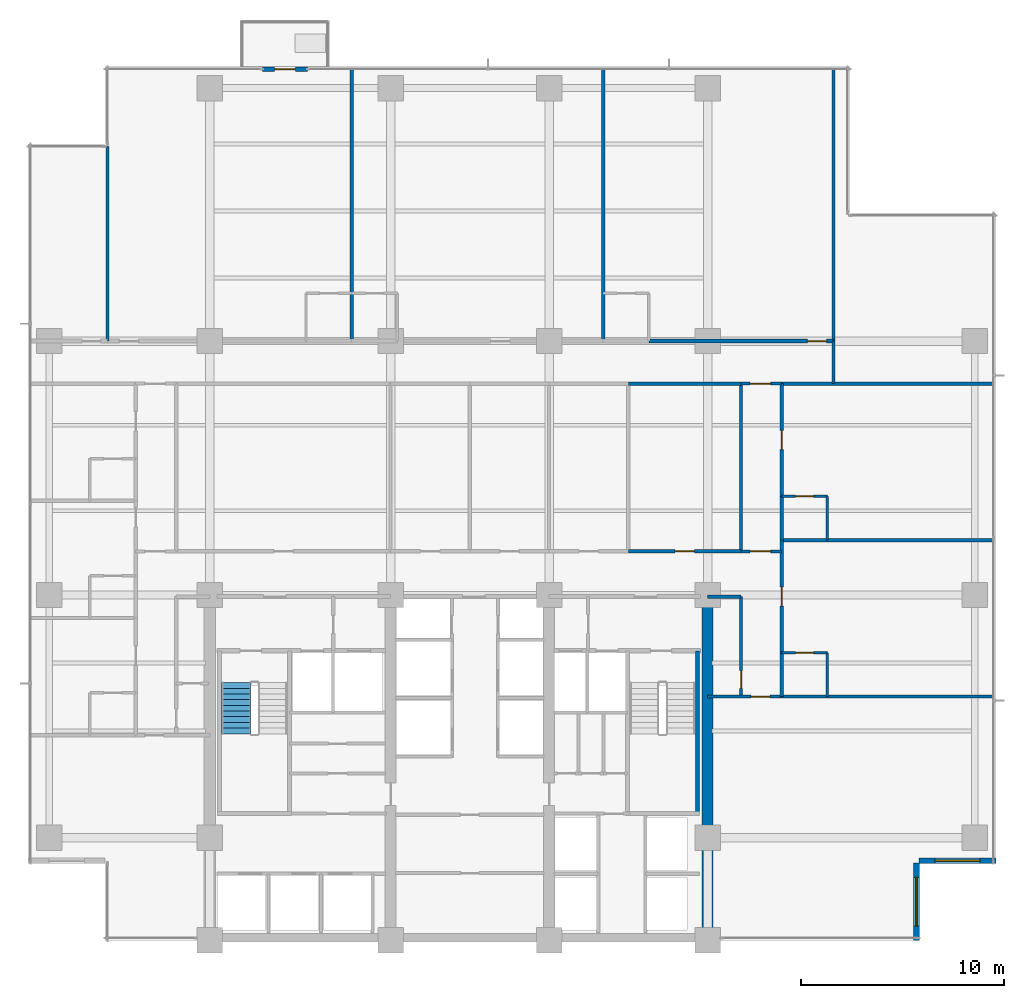
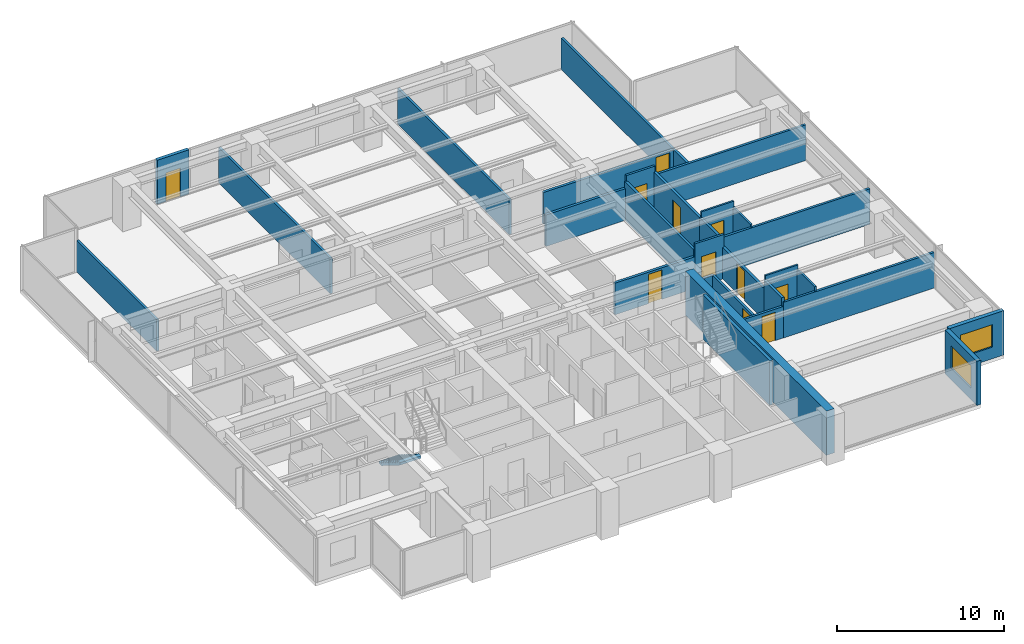
# One storey, part 11 of 17: 30 walls, 11 doors, 2 windows, 1 stair flight, 13 openings, 1 element without a shape of its own.
"""IFC4 building model written with IfcOpenShell, lengths in metres."""

import ifcopenshell
import ifcopenshell.guid

model = None  # the IFC model being written
_history = None  # IfcOwnerHistory: only IFC2X3 demands one
_inside = {}  # id of a spatial element -> (the spatial element, [elements in it])
_under = {}  # id of a project, library or spatial element -> (it, [spatial elements below it])
_declared = {}  # id of a project -> (the project, [libraries it declares])
_typed = {}  # id of a type object -> (the type object, [elements of that type])
_made_of = {}  # id of a material, layer set ... -> (it, [elements and type objects made of it])


def new_model(schema):
    """Start an empty IFC model of exactly this schema.

    Asked for "IFC4X3", IfcOpenShell would pick the latest addendum, in which some entities
    have other attributes; the version numbers below select the first issue.
    IFC2X3 requires an IfcOwnerHistory on every rooted entity: one is made here for all.
    """
    global model, _history
    if schema == "IFC4X3":
        model = ifcopenshell.file(schema_version=(4, 3, 0, 0))
    else:
        model = ifcopenshell.file(schema=schema)
    _inside.clear()
    _under.clear()
    _declared.clear()
    _typed.clear()
    _made_of.clear()
    _history = None
    if model.schema == "IFC2X3":
        org = make("IfcOrganization", Name="unknown")
        user = make(
            "IfcPersonAndOrganization",
            ThePerson=make("IfcPerson", FamilyName="unknown"),
            TheOrganization=org,
        )
        app = make(
            "IfcApplication",
            ApplicationDeveloper=org,
            Version="unknown",
            ApplicationFullName="unknown",
            ApplicationIdentifier="unknown",
        )
        _history = make(
            "IfcOwnerHistory",
            OwningUser=user,
            OwningApplication=app,
            ChangeAction="ADDED",
            CreationDate=0,
        )
    return model


def make(cls, **values):
    """One entity of the class cls with the attributes given. An attribute that is None is left unset."""
    return model.create_entity(
        cls, **{name: value for name, value in values.items() if value is not None}
    )


def rooted(cls, **values):
    """An entity with a GlobalId (a new one), such as an element, a storey or a relation."""
    return make(cls, GlobalId=ifcopenshell.guid.new(), OwnerHistory=_history, **values)


def si_unit(unit_type, name, prefix=None):
    """IfcSIUnit, for example si_unit("LENGTHUNIT", "METRE", prefix="MILLI")."""
    return make("IfcSIUnit", UnitType=unit_type, Prefix=prefix, Name=name)


def assignment(units):
    """IfcUnitAssignment: the units of a project."""
    return None if units is None else make("IfcUnitAssignment", Units=units)


def point(xyz):
    """IfcCartesianPoint."""
    return None if xyz is None else make("IfcCartesianPoint", Coordinates=xyz)


def direction(xyz):
    """IfcDirection."""
    return None if xyz is None else make("IfcDirection", DirectionRatios=xyz)


def frame(location, z_axis=None, x_axis=None):
    """IfcAxis2Placement3D, a coordinate frame: its origin and axes. An axis left out is left unset."""
    return make(
        "IfcAxis2Placement3D",
        Location=point(location),
        Axis=direction(z_axis),
        RefDirection=direction(x_axis),
    )


def frame_2d(location, x_axis=None):
    """IfcAxis2Placement2D, a coordinate frame in the plane: its origin and x axis."""
    return make(
        "IfcAxis2Placement2D", Location=point(location), RefDirection=direction(x_axis)
    )


def origin():
    """The frame at (0, 0, 0) with its axes left unset."""
    return frame((0.0, 0.0, 0.0))


def place(relative_to, where):
    """IfcLocalPlacement: puts the frame where relative to a parent placement (None: the world)."""
    return make(
        "IfcLocalPlacement", PlacementRelTo=relative_to, RelativePlacement=where
    )


def context(
    kind, dimensions, precision=None, world=None, true_north=None, identifier=None
):
    """IfcGeometricRepresentationContext, for example the 3D "Model" context."""
    return make(
        "IfcGeometricRepresentationContext",
        ContextIdentifier=identifier,
        ContextType=kind,
        CoordinateSpaceDimension=dimensions,
        Precision=precision,
        WorldCoordinateSystem=world,
        TrueNorth=true_north,
    )


def subcontext(parent, identifier, kind, view, scale=None):
    """IfcGeometricRepresentationSubContext, for example "Body" below "Model"."""
    return make(
        "IfcGeometricRepresentationSubContext",
        ContextIdentifier=identifier,
        ContextType=kind,
        ParentContext=parent,
        TargetScale=scale,
        TargetView=view,
    )


def project(units=None, contexts=None):
    """IfcProject with its units and contexts."""
    return rooted(
        "IfcProject",
        Name="project",
        RepresentationContexts=contexts,
        UnitsInContext=assignment(units),
    )


def spatial(cls, under=None, at=None, **own):
    """A site, building, storey or space (cls), placed at a placement, below another one or the project."""
    s = rooted(cls, ObjectPlacement=at, **own)
    if under is not None:
        _under.setdefault(under.id(), (under, []))[1].append(s)
    return s


def polyline(points):
    """IfcPolyline through the points."""
    return make("IfcPolyline", Points=[point(p) for p in points])


def profile(cls, at=None, kind="AREA", **sizes):
    """A parametric profile (cls). Its sizes go by their IFC names, for example OverallWidth=200.0."""
    return make(cls, ProfileType=kind, Position=at, **sizes)


def rectangle(**sizes):
    """IfcRectangleProfileDef."""
    return profile("IfcRectangleProfileDef", **sizes)


def outline(outer, holes=None, kind="AREA"):
    """IfcArbitraryClosedProfileDef: a profile drawn as a closed curve; with holes, ...WithVoids."""
    if holes is None:
        return make("IfcArbitraryClosedProfileDef", ProfileType=kind, OuterCurve=outer)
    return make(
        "IfcArbitraryProfileDefWithVoids",
        ProfileType=kind,
        OuterCurve=outer,
        InnerCurves=holes,
    )


def extrude(swept, where, along, depth):
    """IfcExtrudedAreaSolid: the profile swept, set in the frame where, extruded along a direction by depth."""
    return make(
        "IfcExtrudedAreaSolid",
        SweptArea=swept,
        Position=where,
        ExtrudedDirection=direction(along),
        Depth=depth,
    )


def shape(context_of_items, identifier, shape_type, items):
    """IfcShapeRepresentation: the items that make up one representation, for example the "Body"."""
    return make(
        "IfcShapeRepresentation",
        ContextOfItems=context_of_items,
        RepresentationIdentifier=identifier,
        RepresentationType=shape_type,
        Items=items,
    )


def material(Name=None, Category=None):
    """IfcMaterial."""
    return make("IfcMaterial", Name=Name, Category=Category)


def layer(
    of_material, thickness, ventilated=None, Name=None, Category=None, Priority=None
):
    """IfcMaterialLayer: one layer of a wall or slab, of a material (None: an air gap)."""
    return make(
        "IfcMaterialLayer",
        Material=of_material,
        LayerThickness=thickness,
        IsVentilated=ventilated,
        Name=Name,
        Category=Category,
        Priority=Priority,
    )


def layer_set(layers, Name=None):
    """IfcMaterialLayerSet."""
    return make("IfcMaterialLayerSet", MaterialLayers=layers, LayerSetName=Name)


def made_of(thing, what):
    """Note that an element or type object is made of a material, layer set ...; save() writes the relation."""
    if what is not None:
        _made_of.setdefault(what.id(), (what, []))[1].append(thing)
    return thing


def type_object(cls, material=None, **own):
    """A type object (cls), such as IfcWallType, which elements share."""
    return made_of(rooted(cls, **own), material)


def element(
    cls,
    number,
    at=None,
    inside=None,
    cuts=None,
    type_object=None,
    material=None,
    context=None,
    identifier="Body",
    shape_type=None,
    held_by="IfcProductDefinitionShape",
    body=None,
    shapes=None,
    **own,
):
    """One element of the class cls, such as IfcWall. Its Tag is "e" and its number.

    at: its placement. inside: the storey or other place that contains it. cuts: it is an
    opening in that element (IfcRelVoidsElement). A single representation is given by context,
    identifier, shape_type and body (its items); several are given by shapes. held_by: the class
    of the entity that holds the representations. save() writes the other relations.
    """
    e = rooted(cls, Tag="e%d" % number, ObjectPlacement=at, **own)
    if body is not None:
        shapes = [shape(context, identifier, shape_type, body)]
    if shapes is not None:
        e.Representation = make(held_by, Representations=shapes)
    if inside is not None:
        _inside.setdefault(inside.id(), (inside, []))[1].append(e)
    if cuts is not None:
        rooted(
            "IfcRelVoidsElement", RelatingBuildingElement=cuts, RelatedOpeningElement=e
        )
    if type_object is not None:
        _typed.setdefault(type_object.id(), (type_object, []))[1].append(e)
    return made_of(e, material)


def fill(opening, filler):
    """IfcRelFillsElement: the door or window that sits in an opening."""
    return rooted(
        "IfcRelFillsElement",
        RelatingOpeningElement=opening,
        RelatedBuildingElement=filler,
    )


def aggregate(whole, parts):
    """IfcRelAggregates: a whole, such as a stair, and the parts it consists of."""
    return rooted("IfcRelAggregates", RelatingObject=whole, RelatedObjects=parts)


def save(model, path):
    """Write the relations noted so far, then the file.

    IfcRelAggregates (storeys below a building ...), IfcRelContainedInSpatialStructure (elements
    in a storey), IfcRelDefinesByType, IfcRelAssociatesMaterial and IfcRelDeclares: one each for
    every whole, place, type object, material and project.
    """
    for whole, parts in _under.values():
        aggregate(whole, parts)
    for where, things in _inside.values():
        rooted(
            "IfcRelContainedInSpatialStructure",
            RelatedElements=things,
            RelatingStructure=where,
        )
    for kind, things in _typed.values():
        rooted("IfcRelDefinesByType", RelatedObjects=things, RelatingType=kind)
    for what, things in _made_of.values():
        rooted("IfcRelAssociatesMaterial", RelatedObjects=things, RelatingMaterial=what)
    for by, libraries in _declared.values():
        rooted("IfcRelDeclares", RelatingContext=by, RelatedDefinitions=libraries)
    model.write(path)


model = new_model("IFC4")

# Units and contexts
model_context = context("Model", 3, precision=1e-05, world=origin(), true_north=direction((0.0, 1.0)))
body_context = subcontext(model_context, "Body", "Model", "MODEL_VIEW")
ifc_project = project(units=[si_unit("LENGTHUNIT", "METRE"), si_unit("AREAUNIT", "SQUARE_METRE"), si_unit("VOLUMEUNIT", "CUBIC_METRE"), si_unit("PLANEANGLEUNIT", "RADIAN"), si_unit("MASSUNIT", "GRAM", prefix="KILO")], contexts=[model_context])

# Site, building, storey
site_placement = place(None, origin())
site = spatial("IfcSite", under=ifc_project, at=site_placement, CompositionType="ELEMENT")
building_placement = place(site_placement, origin())
building = spatial("IfcBuilding", under=site, at=building_placement, Name="Qalmaran Belvedere Hotel", CompositionType="ELEMENT")
storey_placement = place(building_placement, frame((0.0, 0.0, 119.699951171875)))
storey = spatial("IfcBuildingStorey", under=building, at=storey_placement, Name="L30", CompositionType="ELEMENT", Elevation=119.699951171875)

# Wall, opening, door
ifc_material_1 = material(Name="Anodised Bronze Cladding")
ifc_layer_1 = layer(ifc_material_1, 0.22509765625, Name="Anodised Bronze Cladding")
ifc_layer_set_1 = layer_set([ifc_layer_1], Name="Anodised Bronze Cladding")
wall_type_1 = type_object("IfcWallType", Name="WL-BAL-PORT-225", PredefinedType="SOLIDWALL", material=ifc_layer_set_1)
wall_1_placement = place(storey_placement, frame((22.89990234375, 46.3798828125, 0.0), z_axis=(0.0, 0.0, 1.0), x_axis=(1.0, 0.0, 0.0)))
wall_1 = element("IfcWall", 1, at=wall_1_placement, inside=storey, type_object=wall_type_1, Name="L30 Tree Balcony Door Portal", PredefinedType="SOLIDWALL", context=body_context, shape_type="SweptSolid", body=[
    extrude(rectangle(XDim=2.2001953125, YDim=0.22509765625, at=frame_2d((1.10009765625, 0.0))), origin(), (0.0, 0.0, 1.0), 3.239990234375),
])
opening_1_placement = place(wall_1_placement, frame((0.590087890625, 0.0, 0.0)))
opening_1 = element("IfcOpeningElement", 2, at=opening_1_placement, cuts=wall_1, Name="Opening BL-102", PredefinedType="OPENING", context=body_context, shape_type="SweptSolid", body=[
    extrude(rectangle(XDim=1.02001953125, YDim=2.10009765625, at=frame_2d((0.510009765625, 1.050048828125))), frame((0.0, 0.12255859375, 0.0), z_axis=(0.0, -1.0, 0.0), x_axis=(1.0, 0.0, 0.0)), (0.0, 0.0, 1.0), 0.2451171875),
])
ifc_material_2 = material(Name="Anodised Bronze Aluminium", Category="aluminium")
door_type_1 = type_object("IfcDoorType", Name="DR-BAL-1020X2100", OperationType="NOTDEFINED", PredefinedType="DOOR", material=ifc_material_2)
door_1_placement = place(opening_1_placement, origin())
door_1 = element("IfcDoor", 3, at=door_1_placement, inside=storey, type_object=door_type_1, Name="L30 Planted Tree Balcony Door", OperationType="SINGLE_SWING_LEFT", OverallHeight=2.10009765625, OverallWidth=1.02001953125, PredefinedType="DOOR", context=body_context, shape_type="SweptSolid", body=[
    extrude(rectangle(XDim=1.02001953125, YDim=2.10009765625, at=frame_2d((0.510009765625, 1.050048828125))), frame((0.0, 0.02490234375, 0.0), z_axis=(0.0, -1.0, 0.0), x_axis=(1.0, 0.0, 0.0)), (0.0, 0.0, 1.0), 0.050048828125),
])
fill(opening_1, door_1)

# Wall
ifc_material_3 = material(Name="Concrete C60/75", Category="concrete")
ifc_layer_2 = layer(ifc_material_3, 0.550048828125, Name="Concrete C60/75")
ifc_layer_set_2 = layer_set([ifc_layer_2], Name="Concrete C60/75")
wall_type_2 = type_object("IfcWallType", Name="WL-CORE-550-C60", PredefinedType="SHEAR", material=ifc_layer_set_2)
wall_2_placement = place(storey_placement, frame((44.800048828125, 3.5, 0.0), z_axis=(0.0, 0.0, 1.0), x_axis=(0.0, 1.0, 0.0)))
element("IfcWall", 4, at=wall_2_placement, inside=storey, type_object=wall_type_2, Name="L30 East Core Shear Wall", PredefinedType="SHEAR", context=body_context, shape_type="SweptSolid", body=[
    extrude(rectangle(XDim=16.89990234375, YDim=0.550048828125, at=frame_2d((8.449951171875, 0.0))), origin(), (0.0, 0.0, 1.0), 3.239990234375),
])

# Wall, opening, window
ifc_layer_3 = layer(ifc_material_1, 0.280029296875, Name="Anodised Bronze Cladding")
ifc_layer_set_3 = layer_set([ifc_layer_3], Name="Anodised Bronze Cladding")
wall_type_3 = type_object("IfcWallType", Name="WL-EXT-BRNZ-280", PredefinedType="SOLIDWALL", material=ifc_layer_set_3)
wall_3_placement = place(storey_placement, frame((55.080078125, 3.5, 0.0), z_axis=(0.0, 0.0, 1.0), x_axis=(0.0, 1.0, 0.0)))
wall_3 = element("IfcWall", 5, at=wall_3_placement, inside=storey, type_object=wall_type_3, Name="L30 Corner Notch Wall 1", PredefinedType="SOLIDWALL", context=body_context, shape_type="SweptSolid", body=[
    extrude(rectangle(XDim=3.800048828125, YDim=0.280029296875, at=frame_2d((1.89990234375, 0.0))), origin(), (0.0, 0.0, 1.0), 3.239990234375),
])
opening_2_placement = place(wall_3_placement, frame((0.699951171875, 0.0, 0.85009765625)))
opening_2 = element("IfcOpeningElement", 6, at=opening_2_placement, cuts=wall_3, Name="Opening W-N24", PredefinedType="OPENING", context=body_context, shape_type="SweptSolid", body=[
    extrude(rectangle(XDim=2.39990234375, YDim=1.64990234375, at=frame_2d((1.199951171875, 0.824951171875))), frame((0.0, 0.14990234375, 0.0), z_axis=(0.0, -1.0, 0.0), x_axis=(1.0, 0.0, 0.0)), (0.0, 0.0, 1.0), 0.300048828125),
])
ifc_material_4 = material(Name="Solar-Control Double Glazing", Category="glass")
window_type_1 = type_object("IfcWindowType", Name="WN-NTC-2400X1650", PartitioningType="SINGLE_PANEL", PredefinedType="WINDOW", material=ifc_material_4)
window_1_placement = place(opening_2_placement, origin())
window_1 = element("IfcWindow", 7, at=window_1_placement, inside=storey, type_object=window_type_1, Name="L30 Corner Notch Window 1", OverallHeight=1.64990234375, OverallWidth=2.39990234375, PartitioningType="SINGLE_PANEL", PredefinedType="WINDOW", context=body_context, shape_type="SweptSolid", body=[
    extrude(rectangle(XDim=2.39990234375, YDim=1.64990234375, at=frame_2d((1.199951171875, 0.824951171875))), frame((0.0, 0.030029296875, 0.0), z_axis=(0.0, -1.0, 0.0), x_axis=(1.0, 0.0, 0.0)), (0.0, 0.0, 1.0), 0.06005859375),
])
fill(opening_2, window_1)

wall_4_placement = place(storey_placement, frame((55.199951171875, 7.419921875, 0.0), z_axis=(0.0, 0.0, 1.0), x_axis=(1.0, 0.0, 0.0)))
wall_4 = element("IfcWall", 8, at=wall_4_placement, inside=storey, type_object=wall_type_3, Name="L30 Corner Notch Wall 2", PredefinedType="SOLIDWALL", context=body_context, shape_type="SweptSolid", body=[
    extrude(rectangle(XDim=3.800048828125, YDim=0.280029296875, at=frame_2d((1.89990234375, 0.0))), origin(), (0.0, 0.0, 1.0), 3.239990234375),
])
opening_3_placement = place(wall_4_placement, frame((0.800048828125, 0.0, 0.85009765625)))
opening_3 = element("IfcOpeningElement", 9, at=opening_3_placement, cuts=wall_4, Name="Opening W-N22", PredefinedType="OPENING", context=body_context, shape_type="SweptSolid", body=[
    extrude(rectangle(XDim=2.199951171875, YDim=1.64990234375, at=frame_2d((1.10009765625, 0.824951171875))), frame((0.0, 0.14990234375, 0.0), z_axis=(0.0, -1.0, 0.0), x_axis=(1.0, 0.0, 0.0)), (0.0, 0.0, 1.0), 0.300048828125),
])
window_type_2 = type_object("IfcWindowType", Name="WN-NTC-2200X1650", PartitioningType="SINGLE_PANEL", PredefinedType="WINDOW", material=ifc_material_4)
window_2_placement = place(opening_3_placement, origin())
window_2 = element("IfcWindow", 10, at=window_2_placement, inside=storey, type_object=window_type_2, Name="L30 Corner Notch Window 2", OverallHeight=1.64990234375, OverallWidth=2.199951171875, PartitioningType="SINGLE_PANEL", PredefinedType="WINDOW", context=body_context, shape_type="SweptSolid", body=[
    extrude(rectangle(XDim=2.199951171875, YDim=1.64990234375, at=frame_2d((1.10009765625, 0.824951171875))), frame((0.0, 0.030029296875, 0.0), z_axis=(0.0, -1.0, 0.0), x_axis=(1.0, 0.0, 0.0)), (0.0, 0.0, 1.0), 0.06005859375),
])
fill(opening_3, window_2)

# Wall, opening, door
ifc_material_5 = material(Name="Moisture-Resistant Gypsum")
ifc_layer_4 = layer(ifc_material_5, 0.1201171875, Name="Moisture-Resistant Gypsum")
ifc_layer_set_4 = layer_set([ifc_layer_4], Name="Moisture-Resistant Gypsum")
wall_type_4 = type_object("IfcWallType", Name="WL-INT-120-BATH", PredefinedType="PARTITIONING", material=ifc_layer_set_4)
wall_5_placement = place(storey_placement, frame((48.449951171875, 17.64990234375, 0.0), z_axis=(0.0, 0.0, 1.0), x_axis=(1.0, 0.0, 0.0)))
wall_5 = element("IfcWall", 11, at=wall_5_placement, inside=storey, type_object=wall_type_4, Name="L30 Partition WL-L30-EBN00", PredefinedType="PARTITIONING", context=body_context, shape_type="SweptSolid", body=[
    extrude(rectangle(XDim=2.25, YDim=0.1201171875, at=frame_2d((1.125, 0.0))), origin(), (0.0, 0.0, 1.0), 3.239990234375),
])
opening_4_placement = place(wall_5_placement, frame((1.56494140625, 0.0, 0.0), z_axis=(0.0, 0.0, 1.0), x_axis=(-1.0, 0.0, 0.0)))
opening_4 = element("IfcOpeningElement", 12, at=opening_4_placement, cuts=wall_5, Name="Opening D-BATH", PredefinedType="OPENING", context=body_context, shape_type="SweptSolid", body=[
    extrude(rectangle(XDim=0.8798828125, YDim=2.080078125, at=frame_2d((0.43994140625, 1.0400390625))), frame((0.0, 0.070068359375, 0.0), z_axis=(0.0, -1.0, 0.0), x_axis=(1.0, 0.0, 0.0)), (0.0, 0.0, 1.0), 0.14013671875),
])
ifc_material_6 = material(Name="Engineered Oak Veneer")
door_type_2 = type_object("IfcDoorType", Name="DR-INT-BATH-880X2080", OperationType="NOTDEFINED", PredefinedType="DOOR", material=ifc_material_6)
door_2_placement = place(opening_4_placement, origin())
door_2 = element("IfcDoor", 13, at=door_2_placement, inside=storey, type_object=door_type_2, Name="L30 E Ensuite Door 01", OperationType="SINGLE_SWING_LEFT", OverallHeight=2.080078125, OverallWidth=0.8798828125, PredefinedType="DOOR", context=body_context, shape_type="SweptSolid", body=[
    extrude(rectangle(XDim=0.8798828125, YDim=2.080078125, at=frame_2d((0.43994140625, 1.0400390625))), frame((0.0, 0.02490234375, 0.0), z_axis=(0.0, -1.0, 0.0), x_axis=(1.0, 0.0, 0.0)), (0.0, 0.0, 1.0), 0.050048828125),
])
fill(opening_4, door_2)

# Wall
wall_6_placement = place(storey_placement, frame((50.699951171875, 15.5, 0.0), z_axis=(0.0, 0.0, 1.0), x_axis=(0.0, 1.0, 0.0)))
element("IfcWall", 14, at=wall_6_placement, inside=storey, type_object=wall_type_4, Name="L30 Partition WL-L30-EBS00", PredefinedType="PARTITIONING", context=body_context, shape_type="SweptSolid", body=[
    extrude(rectangle(XDim=2.14990234375, YDim=0.1201171875, at=frame_2d((1.074951171875, 0.0))), origin(), (0.0, 0.0, 1.0), 2.922119140625),
])

# Wall, opening, door
wall_7_placement = place(storey_placement, frame((48.449951171875, 25.35009765625, 0.0), z_axis=(0.0, 0.0, 1.0), x_axis=(1.0, 0.0, 0.0)))
wall_7 = element("IfcWall", 15, at=wall_7_placement, inside=storey, type_object=wall_type_4, Name="L30 Partition WL-L30-EBN01", PredefinedType="PARTITIONING", context=body_context, shape_type="SweptSolid", body=[
    extrude(rectangle(XDim=2.25, YDim=0.1201171875, at=frame_2d((1.125, 0.0))), origin(), (0.0, 0.0, 1.0), 3.239990234375),
])
opening_5_placement = place(wall_7_placement, frame((1.56494140625, 0.0, 0.0), z_axis=(0.0, 0.0, 1.0), x_axis=(-1.0, 0.0, 0.0)))
opening_5 = element("IfcOpeningElement", 16, at=opening_5_placement, cuts=wall_7, Name="Opening D-BATH", PredefinedType="OPENING", context=body_context, shape_type="SweptSolid", body=[
    extrude(rectangle(XDim=0.8798828125, YDim=2.080078125, at=frame_2d((0.43994140625, 1.0400390625))), frame((0.0, 0.070068359375, 0.0), z_axis=(0.0, -1.0, 0.0), x_axis=(1.0, 0.0, 0.0)), (0.0, 0.0, 1.0), 0.14013671875),
])
door_3_placement = place(opening_5_placement, origin())
door_3 = element("IfcDoor", 17, at=door_3_placement, inside=storey, type_object=door_type_2, Name="L30 E Ensuite Door 02", OperationType="SINGLE_SWING_LEFT", OverallHeight=2.080078125, OverallWidth=0.8798828125, PredefinedType="DOOR", context=body_context, shape_type="SweptSolid", body=[
    extrude(rectangle(XDim=0.8798828125, YDim=2.080078125, at=frame_2d((0.43994140625, 1.0400390625))), frame((0.0, 0.02490234375, 0.0), z_axis=(0.0, -1.0, 0.0), x_axis=(1.0, 0.0, 0.0)), (0.0, 0.0, 1.0), 0.050048828125),
])
fill(opening_5, door_3)

# Wall
wall_8_placement = place(storey_placement, frame((50.699951171875, 23.199951171875, 0.0), z_axis=(0.0, 0.0, 1.0), x_axis=(0.0, 1.0, 0.0)))
element("IfcWall", 18, at=wall_8_placement, inside=storey, type_object=wall_type_4, Name="L30 Partition WL-L30-EBS01", PredefinedType="PARTITIONING", context=body_context, shape_type="SweptSolid", body=[
    extrude(rectangle(XDim=2.150146484375, YDim=0.1201171875, at=frame_2d((1.0751953125, 0.0))), origin(), (0.0, 0.0, 1.0), 2.818115234375),
])

# Wall, opening, door
ifc_material_7 = material(Name="Gypsum Stud Partition")
ifc_layer_5 = layer(ifc_material_7, 0.14990234375, Name="Gypsum Stud Partition")
ifc_layer_set_5 = layer_set([ifc_layer_5], Name="Gypsum Stud Partition")
wall_type_5 = type_object("IfcWallType", Name="WL-INT-150-EI60", PredefinedType="PARTITIONING", material=ifc_layer_set_5)
wall_9_placement = place(storey_placement, frame((46.449951171875, 22.64990234375, 0.0), z_axis=(0.0, 0.0, 1.0), x_axis=(1.0, 0.0, 0.0)))
wall_9 = element("IfcWall", 19, at=wall_9_placement, inside=storey, type_object=wall_type_5, Name="L30 Partition WL-L30-XCE1", PredefinedType="PARTITIONING", context=body_context, shape_type="SweptSolid", body=[
    extrude(rectangle(XDim=2.0, YDim=0.14990234375, at=frame_2d((1.0, 0.0))), origin(), (0.0, 0.0, 1.0), 3.239990234375),
])
opening_6_placement = place(wall_9_placement, frame((0.449951171875, 0.0, 0.0)))
opening_6 = element("IfcOpeningElement", 20, at=opening_6_placement, cuts=wall_9, Name="Opening FD90B", PredefinedType="OPENING", context=body_context, shape_type="SweptSolid", body=[
    extrude(rectangle(XDim=1.0, YDim=2.14990234375, at=frame_2d((0.5, 1.074951171875))), frame((0.0, 0.0849609375, 0.0), z_axis=(0.0, -1.0, 0.0), x_axis=(1.0, 0.0, 0.0)), (0.0, 0.0, 1.0), 0.169921875),
])
ifc_material_8 = material(Name="Steel S355JR", Category="steel")
door_type_3 = type_object("IfcDoorType", Name="DR-FD90B-1000X2150", OperationType="NOTDEFINED", PredefinedType="DOOR", material=ifc_material_8)
door_4_placement = place(opening_6_placement, origin())
door_4 = element("IfcDoor", 21, at=door_4_placement, inside=storey, type_object=door_type_3, Name="L30 East Corridor Smoke Door S", OperationType="SINGLE_SWING_RIGHT", OverallHeight=2.14990234375, OverallWidth=1.0, PredefinedType="DOOR", context=body_context, shape_type="SweptSolid", body=[
    extrude(rectangle(XDim=1.0, YDim=2.14990234375, at=frame_2d((0.5, 1.074951171875))), frame((0.0, 0.02490234375, 0.0), z_axis=(0.0, -1.0, 0.0), x_axis=(1.0, 0.0, 0.0)), (0.0, 0.0, 1.0), 0.050048828125),
])
fill(opening_6, door_4)

wall_10_placement = place(storey_placement, frame((46.449951171875, 30.89990234375, 0.0), z_axis=(0.0, 0.0, 1.0), x_axis=(1.0, 0.0, 0.0)))
wall_10 = element("IfcWall", 22, at=wall_10_placement, inside=storey, type_object=wall_type_5, Name="L30 Partition WL-L30-XCE2", PredefinedType="PARTITIONING", context=body_context, shape_type="SweptSolid", body=[
    extrude(rectangle(XDim=2.0, YDim=0.14990234375, at=frame_2d((1.0, 0.0))), origin(), (0.0, 0.0, 1.0), 3.239990234375),
])
opening_7_placement = place(wall_10_placement, frame((0.449951171875, 0.0, 0.0)))
opening_7 = element("IfcOpeningElement", 23, at=opening_7_placement, cuts=wall_10, Name="Opening FD90B", PredefinedType="OPENING", context=body_context, shape_type="SweptSolid", body=[
    extrude(rectangle(XDim=1.0, YDim=2.14990234375, at=frame_2d((0.5, 1.074951171875))), frame((0.0, 0.0849609375, 0.0), z_axis=(0.0, -1.0, 0.0), x_axis=(1.0, 0.0, 0.0)), (0.0, 0.0, 1.0), 0.169921875),
])
door_5_placement = place(opening_7_placement, origin())
door_5 = element("IfcDoor", 24, at=door_5_placement, inside=storey, type_object=door_type_3, Name="L30 East Corridor Smoke Door N", OperationType="SINGLE_SWING_LEFT", OverallHeight=2.14990234375, OverallWidth=1.0, PredefinedType="DOOR", context=body_context, shape_type="SweptSolid", body=[
    extrude(rectangle(XDim=1.0, YDim=2.14990234375, at=frame_2d((0.5, 1.074951171875))), frame((0.0, 0.02490234375, 0.0), z_axis=(0.0, -1.0, 0.0), x_axis=(1.0, 0.0, 0.0)), (0.0, 0.0, 1.0), 0.050048828125),
])
fill(opening_7, door_5)

ifc_layer_6 = layer(ifc_material_7, 0.159912109375, Name="Gypsum Stud Partition")
ifc_layer_set_6 = layer_set([ifc_layer_6], Name="Gypsum Stud Partition")
wall_type_6 = type_object("IfcWallType", Name="WL-INT-160-EI60", PredefinedType="PARTITIONING", material=ifc_layer_set_6)
wall_11_placement = place(storey_placement, frame((44.800048828125, 15.5, 0.0), z_axis=(0.0, 0.0, 1.0), x_axis=(1.0, 0.0, 0.0)))
wall_11 = element("IfcWall", 25, at=wall_11_placement, inside=storey, type_object=wall_type_6, Name="L30 Partition WL-L30-SERL", PredefinedType="PARTITIONING", context=body_context, shape_type="SweptSolid", body=[
    extrude(rectangle(XDim=3.64990234375, YDim=0.159912109375, at=frame_2d((1.824951171875, 0.0))), origin(), (0.0, 0.0, 1.0), 2.31298828125),
])
opening_8_placement = place(wall_11_placement, frame((3.06982421875, 0.0, 0.0), z_axis=(0.0, 0.0, 1.0), x_axis=(-1.0, 0.0, 0.0)))
opening_8 = element("IfcOpeningElement", 26, at=opening_8_placement, cuts=wall_11, Name="Opening FD60S1", PredefinedType="OPENING", context=body_context, shape_type="SweptSolid", body=[
    extrude(rectangle(XDim=0.919921875, YDim=2.080078125, at=frame_2d((0.4599609375, 1.0400390625))), frame((0.0, 0.08984375, 0.0), z_axis=(0.0, -1.0, 0.0), x_axis=(1.0, 0.0, 0.0)), (0.0, 0.0, 1.0), 0.179931640625),
])
door_type_4 = type_object("IfcDoorType", Name="DR-FD60S-920X2080", OperationType="NOTDEFINED", PredefinedType="DOOR", material=ifc_material_6)
door_6_placement = place(opening_8_placement, origin())
door_6 = element("IfcDoor", 27, at=door_6_placement, inside=storey, type_object=door_type_4, Name="L30 SE Lounge Door", OperationType="SINGLE_SWING_LEFT", OverallHeight=2.080078125, OverallWidth=0.919921875, PredefinedType="DOOR", context=body_context, shape_type="SweptSolid", body=[
    extrude(rectangle(XDim=0.919921875, YDim=2.080078125, at=frame_2d((0.4599609375, 1.0400390625))), frame((0.0, 0.02490234375, 0.0), z_axis=(0.0, -1.0, 0.0), x_axis=(1.0, 0.0, 0.0)), (0.0, 0.0, 1.0), 0.050048828125),
])
fill(opening_8, door_6)

wall_12_placement = place(storey_placement, frame((46.449951171875, 15.5, 0.0), z_axis=(0.0, 0.0, 1.0), x_axis=(0.0, 1.0, 0.0)))
wall_12 = element("IfcWall", 28, at=wall_12_placement, inside=storey, type_object=wall_type_6, Name="L30 Partition WL-L30-ECL", PredefinedType="PARTITIONING", context=body_context, shape_type="SweptSolid", body=[
    extrude(rectangle(XDim=4.919921875, YDim=0.159912109375, at=frame_2d((2.4599609375, 0.0))), origin(), (0.0, 0.0, 1.0), 2.31298828125),
])
opening_9_placement = place(wall_12_placement, frame((0.39990234375, 0.0, 0.0)))
opening_9 = element("IfcOpeningElement", 29, at=opening_9_placement, cuts=wall_12, Name="Opening FD60B", PredefinedType="OPENING", context=body_context, shape_type="SweptSolid", body=[
    extrude(rectangle(XDim=0.8798828125, YDim=2.080078125, at=frame_2d((0.43994140625, 1.0400390625))), frame((0.0, 0.08984375, 0.0), z_axis=(0.0, -1.0, 0.0), x_axis=(1.0, 0.0, 0.0)), (0.0, 0.0, 1.0), 0.179931640625),
])
door_type_5 = type_object("IfcDoorType", Name="DR-FD60B-880X2080", OperationType="NOTDEFINED", PredefinedType="DOOR", material=ifc_material_8)
door_7_placement = place(opening_9_placement, origin())
door_7 = element("IfcDoor", 30, at=door_7_placement, inside=storey, type_object=door_type_5, Name="L30 East Closet Door", OperationType="SINGLE_SWING_LEFT", OverallHeight=2.080078125, OverallWidth=0.8798828125, PredefinedType="DOOR", context=body_context, shape_type="SweptSolid", body=[
    extrude(rectangle(XDim=0.8798828125, YDim=2.080078125, at=frame_2d((0.43994140625, 1.0400390625))), frame((0.0, 0.02490234375, 0.0), z_axis=(0.0, -1.0, 0.0), x_axis=(1.0, 0.0, 0.0)), (0.0, 0.0, 1.0), 0.050048828125),
])
fill(opening_9, door_7)

# Walls
wall_13_placement = place(storey_placement, frame((44.800048828125, 20.419921875, 0.0), z_axis=(0.0, 0.0, 1.0), x_axis=(1.0, 0.0, 0.0)))
element("IfcWall", 31, at=wall_13_placement, inside=storey, type_object=wall_type_6, Name="L30 Partition WL-L30-ECLN", PredefinedType="PARTITIONING", context=body_context, shape_type="SweptSolid", body=[
    extrude(rectangle(XDim=1.64990234375, YDim=0.159912109375, at=frame_2d((0.824951171875, 0.0))), origin(), (0.0, 0.0, 1.0), 2.31298828125),
])
wall_14_placement = place(storey_placement, frame((51.0, 30.89990234375, 0.0), z_axis=(0.0, 0.0, 1.0), x_axis=(0.0, 1.0, 0.0)))
element("IfcWall", 32, at=wall_14_placement, inside=storey, type_object=wall_type_6, Name="L30 Partition WL-L30-NCGE", PredefinedType="PARTITIONING", context=body_context, shape_type="SweptSolid", body=[
    extrude(rectangle(XDim=2.10009765625, YDim=0.159912109375, at=frame_2d((1.050048828125, 0.0))), origin(), (0.0, 0.0, 1.0), 2.31298828125),
])
wall_15_placement = place(storey_placement, frame((46.449951171875, 22.64990234375, 0.0), z_axis=(0.0, 0.0, 1.0), x_axis=(0.0, 1.0, 0.0)))
element("IfcWall", 33, at=wall_15_placement, inside=storey, type_object=wall_type_6, Name="L30 Partition WL-L30-MIDVR5", PredefinedType="PARTITIONING", context=body_context, shape_type="SweptSolid", body=[
    extrude(rectangle(XDim=8.25, YDim=0.159912109375, at=frame_2d((4.125, 0.0))), origin(), (0.0, 0.0, 1.0), 2.818115234375),
])
wall_16_placement = place(storey_placement, frame((15.27001953125, 33.0, 0.0), z_axis=(0.0, 0.0, 1.0), x_axis=(0.0, 1.0, 0.0)))
element("IfcWall", 34, at=wall_16_placement, inside=storey, type_object=wall_type_6, Name="L30 Partition WL-L30-NUL", PredefinedType="PARTITIONING", context=body_context, shape_type="SweptSolid", body=[
    extrude(rectangle(XDim=9.580078125, YDim=0.159912109375, at=frame_2d((4.7900390625, 0.0))), origin(), (0.0, 0.0, 1.0), 2.31298828125),
])
for number, where, z_axis, x_axis, name in (
    (35, (27.285400390625, 33.0, 0.0), (0.0, 0.0, 1.0), (0.0, 1.0, 0.0), "L30 Partition WL-L30-NUR00"),
    (36, (39.664794921875, 33.0, 0.0), (0.0, 0.0, 1.0), (0.0, 1.0, 0.0), "L30 Partition WL-L30-NUR01"),
):
    element("IfcWall", number, at=place(storey_placement, frame(where, z_axis=z_axis, x_axis=x_axis)), inside=storey, type_object=wall_type_6, Name=name, PredefinedType="PARTITIONING", context=body_context, shape_type="SweptSolid", body=[
        extrude(rectangle(XDim=13.3798828125, YDim=0.159912109375, at=frame_2d((6.68994140625, 0.0))), origin(), (0.0, 0.0, 1.0), 2.60302734375),
    ])
wall_17_placement = place(storey_placement, frame((51.0, 33.0, 0.0), z_axis=(0.0, 0.0, 1.0), x_axis=(0.0, 1.0, 0.0)))
element("IfcWall", 37, at=wall_17_placement, inside=storey, type_object=wall_type_6, Name="L30 Partition WL-L30-NUR02", PredefinedType="PARTITIONING", context=body_context, shape_type="SweptSolid", body=[
    extrude(rectangle(XDim=13.3798828125, YDim=0.159912109375, at=frame_2d((6.68994140625, 0.0))), origin(), (0.0, 0.0, 1.0), 2.31298828125),
])
for number, where, z_axis, x_axis, name in (
    (38, (48.449951171875, 15.5, 0.0), (0.0, 0.0, 1.0), (1.0, 0.0, 0.0), "L30 Partition WL-L30-EBOT"),
    (39, (48.449951171875, 23.199951171875, 0.0), (0.0, 0.0, 1.0), (1.0, 0.0, 0.0), "L30 Partition WL-L30-EU00"),
    (40, (48.449951171875, 30.89990234375, 0.0), (0.0, 0.0, 1.0), (1.0, 0.0, 0.0), "L30 Partition WL-L30-EU01"),
):
    element("IfcWall", number, at=place(storey_placement, frame(where, z_axis=z_axis, x_axis=x_axis)), inside=storey, type_object=wall_type_6, Name=name, PredefinedType="PARTITIONING", context=body_context, shape_type="SweptSolid", body=[
        extrude(rectangle(XDim=10.429931640625, YDim=0.159912109375, at=frame_2d((5.21484375, 0.0))), origin(), (0.0, 0.0, 1.0), 2.60302734375),
    ])

# Wall, opening, door
ifc_layer_7 = layer(ifc_material_7, 0.179931640625, Name="Gypsum Stud Partition")
ifc_layer_set_7 = layer_set([ifc_layer_7], Name="Gypsum Stud Partition")
wall_type_7 = type_object("IfcWallType", Name="WL-INT-180-EI60", PredefinedType="PARTITIONING", material=ifc_layer_set_7)
wall_18_placement = place(storey_placement, frame((40.89990234375, 22.64990234375, 0.0), z_axis=(0.0, 0.0, 1.0), x_axis=(1.0, 0.0, 0.0)))
wall_18 = element("IfcWall", 41, at=wall_18_placement, inside=storey, type_object=wall_type_7, Name="L30 Partition WL-L30-MIDD5", PredefinedType="PARTITIONING", context=body_context, shape_type="SweptSolid", body=[
    extrude(rectangle(XDim=5.550048828125, YDim=0.179931640625, at=frame_2d((2.77490234375, 0.0))), origin(), (0.0, 0.0, 1.0), 2.31298828125),
])
opening_10_placement = place(wall_18_placement, frame((2.300048828125, 0.0, 0.0)))
opening_10 = element("IfcOpeningElement", 42, at=opening_10_placement, cuts=wall_18, Name="Opening FD60", PredefinedType="OPENING", context=body_context, shape_type="SweptSolid", body=[
    extrude(rectangle(XDim=0.949951171875, YDim=2.14990234375, at=frame_2d((0.47509765625, 1.074951171875))), frame((0.0, 0.10009765625, 0.0), z_axis=(0.0, -1.0, 0.0), x_axis=(1.0, 0.0, 0.0)), (0.0, 0.0, 1.0), 0.199951171875),
])
door_type_6 = type_object("IfcDoorType", Name="DR-FD60-950X2150", OperationType="NOTDEFINED", PredefinedType="DOOR", material=ifc_material_6)
door_8_placement = place(opening_10_placement, origin())
door_8 = element("IfcDoor", 43, at=door_8_placement, inside=storey, type_object=door_type_6, Name="L30 Library Door", OperationType="SINGLE_SWING_RIGHT", OverallHeight=2.14990234375, OverallWidth=0.949951171875, PredefinedType="DOOR", context=body_context, shape_type="SweptSolid", body=[
    extrude(rectangle(XDim=0.949951171875, YDim=2.14990234375, at=frame_2d((0.47509765625, 1.074951171875))), frame((0.0, 0.02490234375, 0.0), z_axis=(0.0, -1.0, 0.0), x_axis=(1.0, 0.0, 0.0)), (0.0, 0.0, 1.0), 0.050048828125),
])
fill(opening_10, door_8)

# Wall
wall_19_placement = place(storey_placement, frame((40.89990234375, 30.89990234375, 0.0), z_axis=(0.0, 0.0, 1.0), x_axis=(1.0, 0.0, 0.0)))
element("IfcWall", 44, at=wall_19_placement, inside=storey, type_object=wall_type_7, Name="L30 Partition WL-L30-MIDO5", PredefinedType="PARTITIONING", context=body_context, shape_type="SweptSolid", body=[
    extrude(rectangle(XDim=5.550048828125, YDim=0.179931640625, at=frame_2d((2.77490234375, 0.0))), origin(), (0.0, 0.0, 1.0), 2.31298828125),
])

# Wall, opening, door
wall_20_placement = place(storey_placement, frame((41.914794921875, 33.0, 0.0), z_axis=(0.0, 0.0, 1.0), x_axis=(1.0, 0.0, 0.0)))
wall_20 = element("IfcWall", 45, at=wall_20_placement, inside=storey, type_object=wall_type_7, Name="L30 Partition WL-L30-NEC02", PredefinedType="PARTITIONING", context=body_context, shape_type="SweptSolid", body=[
    extrude(rectangle(XDim=9.085205078125, YDim=0.179931640625, at=frame_2d((4.54248046875, 0.0))), origin(), (0.0, 0.0, 1.0), 2.31298828125),
])
opening_11_placement = place(wall_20_placement, frame((7.796875, 0.0, 0.0)))
opening_11 = element("IfcOpeningElement", 46, at=opening_11_placement, cuts=wall_20, Name="Opening FD60", PredefinedType="OPENING", context=body_context, shape_type="SweptSolid", body=[
    extrude(rectangle(XDim=0.949951171875, YDim=2.14990234375, at=frame_2d((0.47509765625, 1.074951171875))), frame((0.0, 0.10009765625, 0.0), z_axis=(0.0, -1.0, 0.0), x_axis=(1.0, 0.0, 0.0)), (0.0, 0.0, 1.0), 0.199951171875),
])
door_9_placement = place(opening_11_placement, origin())
door_9 = element("IfcDoor", 47, at=door_9_placement, inside=storey, type_object=door_type_6, Name="L30 Guest Entrance Door N03", OperationType="SINGLE_SWING_RIGHT", OverallHeight=2.14990234375, OverallWidth=0.949951171875, PredefinedType="DOOR", context=body_context, shape_type="SweptSolid", body=[
    extrude(rectangle(XDim=0.949951171875, YDim=2.14990234375, at=frame_2d((0.47509765625, 1.074951171875))), frame((0.0, 0.02490234375, 0.0), z_axis=(0.0, -1.0, 0.0), x_axis=(1.0, 0.0, 0.0)), (0.0, 0.0, 1.0), 0.050048828125),
])
fill(opening_11, door_9)

# Wall
wall_21_placement = place(storey_placement, frame((48.449951171875, 15.5, 0.0), z_axis=(0.0, 0.0, 1.0), x_axis=(0.0, 1.0, 0.0)))
element("IfcWall", 48, at=wall_21_placement, inside=storey, type_object=wall_type_7, Name="L30 Partition WL-L30-EBC00", PredefinedType="PARTITIONING", context=body_context, shape_type="SweptSolid", body=[
    extrude(rectangle(XDim=2.14990234375, YDim=0.179931640625, at=frame_2d((1.074951171875, 0.0))), origin(), (0.0, 0.0, 1.0), 2.922119140625),
])

# Wall, opening, door
wall_22_placement = place(storey_placement, frame((48.449951171875, 17.64990234375, 0.0), z_axis=(0.0, 0.0, 1.0), x_axis=(0.0, 1.0, 0.0)))
wall_22 = element("IfcWall", 49, at=wall_22_placement, inside=storey, type_object=wall_type_7, Name="L30 Partition WL-L30-EEC00", PredefinedType="PARTITIONING", context=body_context, shape_type="SweptSolid", body=[
    extrude(rectangle(XDim=5.550048828125, YDim=0.179931640625, at=frame_2d((2.77490234375, 0.0))), origin(), (0.0, 0.0, 1.0), 2.31298828125),
])
opening_12_placement = place(wall_22_placement, frame((3.25, 0.0, 0.0), z_axis=(0.0, 0.0, 1.0), x_axis=(-1.0, 0.0, 0.0)))
opening_12 = element("IfcOpeningElement", 50, at=opening_12_placement, cuts=wall_22, Name="Opening FD60", PredefinedType="OPENING", context=body_context, shape_type="SweptSolid", body=[
    extrude(rectangle(XDim=0.949951171875, YDim=2.14990234375, at=frame_2d((0.47509765625, 1.074951171875))), frame((0.0, 0.10009765625, 0.0), z_axis=(0.0, -1.0, 0.0), x_axis=(1.0, 0.0, 0.0)), (0.0, 0.0, 1.0), 0.199951171875),
])
door_10_placement = place(opening_12_placement, origin())
door_10 = element("IfcDoor", 51, at=door_10_placement, inside=storey, type_object=door_type_6, Name="L30 E Wing Door 01", OperationType="SINGLE_SWING_RIGHT", OverallHeight=2.14990234375, OverallWidth=0.949951171875, PredefinedType="DOOR", context=body_context, shape_type="SweptSolid", body=[
    extrude(rectangle(XDim=0.949951171875, YDim=2.14990234375, at=frame_2d((0.47509765625, 1.074951171875))), frame((0.0, 0.02490234375, 0.0), z_axis=(0.0, -1.0, 0.0), x_axis=(1.0, 0.0, 0.0)), (0.0, 0.0, 1.0), 0.050048828125),
])
fill(opening_12, door_10)

# Wall
wall_23_placement = place(storey_placement, frame((48.449951171875, 23.199951171875, 0.0), z_axis=(0.0, 0.0, 1.0), x_axis=(0.0, 1.0, 0.0)))
element("IfcWall", 52, at=wall_23_placement, inside=storey, type_object=wall_type_7, Name="L30 Partition WL-L30-EBC01", PredefinedType="PARTITIONING", context=body_context, shape_type="SweptSolid", body=[
    extrude(rectangle(XDim=2.150146484375, YDim=0.179931640625, at=frame_2d((1.0751953125, 0.0))), origin(), (0.0, 0.0, 1.0), 2.818115234375),
])

# Wall, opening, door
wall_24_placement = place(storey_placement, frame((48.449951171875, 25.35009765625, 0.0), z_axis=(0.0, 0.0, 1.0), x_axis=(0.0, 1.0, 0.0)))
wall_24 = element("IfcWall", 53, at=wall_24_placement, inside=storey, type_object=wall_type_7, Name="L30 Partition WL-L30-EEC01", PredefinedType="PARTITIONING", context=body_context, shape_type="SweptSolid", body=[
    extrude(rectangle(XDim=5.5498046875, YDim=0.179931640625, at=frame_2d((2.77490234375, 0.0))), origin(), (0.0, 0.0, 1.0), 2.818115234375),
])
opening_13_placement = place(wall_24_placement, frame((3.25, 0.0, 0.0), z_axis=(0.0, 0.0, 1.0), x_axis=(-1.0, 0.0, 0.0)))
opening_13 = element("IfcOpeningElement", 54, at=opening_13_placement, cuts=wall_24, Name="Opening FD60", PredefinedType="OPENING", context=body_context, shape_type="SweptSolid", body=[
    extrude(rectangle(XDim=0.949951171875, YDim=2.14990234375, at=frame_2d((0.47509765625, 1.074951171875))), frame((0.0, 0.10009765625, 0.0), z_axis=(0.0, -1.0, 0.0), x_axis=(1.0, 0.0, 0.0)), (0.0, 0.0, 1.0), 0.199951171875),
])
door_11_placement = place(opening_13_placement, origin())
door_11 = element("IfcDoor", 55, at=door_11_placement, inside=storey, type_object=door_type_6, Name="L30 E Wing Door 02", OperationType="SINGLE_SWING_RIGHT", OverallHeight=2.14990234375, OverallWidth=0.949951171875, PredefinedType="DOOR", context=body_context, shape_type="SweptSolid", body=[
    extrude(rectangle(XDim=0.949951171875, YDim=2.14990234375, at=frame_2d((0.47509765625, 1.074951171875))), frame((0.0, 0.02490234375, 0.0), z_axis=(0.0, -1.0, 0.0), x_axis=(1.0, 0.0, 0.0)), (0.0, 0.0, 1.0), 0.050048828125),
])
fill(opening_13, door_11)

# Wall
ifc_material_9 = material(Name="Concrete C50/60", Category="concrete")
ifc_layer_8 = layer(ifc_material_9, 0.2099609375, Name="Concrete C50/60")
ifc_layer_set_8 = layer_set([ifc_layer_8], Name="Concrete C50/60")
wall_type_8 = type_object("IfcWallType", Name="WL-STAIR-210-C50", PredefinedType="SHEAR", material=ifc_layer_set_8)
wall_25_placement = place(storey_placement, frame((44.304931640625, 9.7451171875, 0.0), z_axis=(0.0, 0.0, 1.0), x_axis=(0.0, 1.0, 0.0)))
element("IfcWall", 56, at=wall_25_placement, inside=storey, type_object=wall_type_8, Name="L30 Stair ST-2 East Bearing Wall", PredefinedType="SHEAR", context=body_context, shape_type="SweptSolid", body=[
    extrude(rectangle(XDim=8.009765625, YDim=0.2099609375, at=frame_2d((4.0048828125, 0.0))), origin(), (0.0, 0.0, 1.0), 3.239990234375),
])

# Stair, stair flight
ifc_material_10 = material(Name="Concrete C40/50", Category="concrete")
stair_type = type_object("IfcStairType", Name="STR-ST-1-1450-R1750", PredefinedType="HALF_TURN_STAIR", material=ifc_material_10)
stair_placement = place(storey_placement, origin())
stair = element("IfcStair", 57, at=stair_placement, inside=storey, type_object=stair_type, Name="L30 West Core Exit Stair ST-1", PredefinedType="HALF_TURN_STAIR")
ifc_layer_9 = layer(ifc_material_10, 0.14990234375, Name="Concrete C40/50")
ifc_layer_set_9 = layer_set([ifc_layer_9], Name="Concrete C40/50")
stair_flight_type = type_object("IfcStairFlightType", Name="STF-ST-1-1450-R1750", PredefinedType="STRAIGHT", material=ifc_layer_set_9)
stair_flight_placement = place(storey_placement, frame((21.60498046875, 16.18994140625, 0.0), z_axis=(0.0, 0.0, 1.0), x_axis=(0.0, -1.0, 0.0)))
stair_flight = element("IfcStairFlight", 58, at=stair_flight_placement, type_object=stair_flight_type, Name="ST-1 flight 1", NumberOfRisers=10, NumberOfTreads=9, PredefinedType="STRAIGHT", RiserHeight=0.175, TreadLength=0.28, context=body_context, shape_type="SweptSolid", body=[
    extrude(outline(polyline([(0.0, 0.0), (0.0, 0.175048828125), (0.280029296875, 0.175048828125), (0.280029296875, 0.35009765625), (0.56005859375, 0.35009765625), (0.56005859375, 0.52490234375), (0.840087890625, 0.52490234375), (0.840087890625, 0.699951171875), (1.1201171875, 0.699951171875), (1.1201171875, 0.875), (1.39990234375, 0.875), (1.39990234375, 1.050048828125), (1.679931640625, 1.050048828125), (1.679931640625, 1.22509765625), (1.9599609375, 1.22509765625), (1.9599609375, 1.39990234375), (2.239990234375, 1.39990234375), (2.239990234375, 1.574951171875), (2.52001953125, 1.574951171875), (2.52001953125, 1.75), (2.52001953125, 1.398193359375), (0.28271484375, 0.0), (0.0, 0.0)])), frame((0.0, 0.72509765625, 0.0), z_axis=(0.0, -1.0, 0.0), x_axis=(1.0, 0.0, 0.0)), (0.0, 0.0, 1.0), 1.449951171875),
])
aggregate(stair, [stair_flight])

save(model, "model.ifc")
